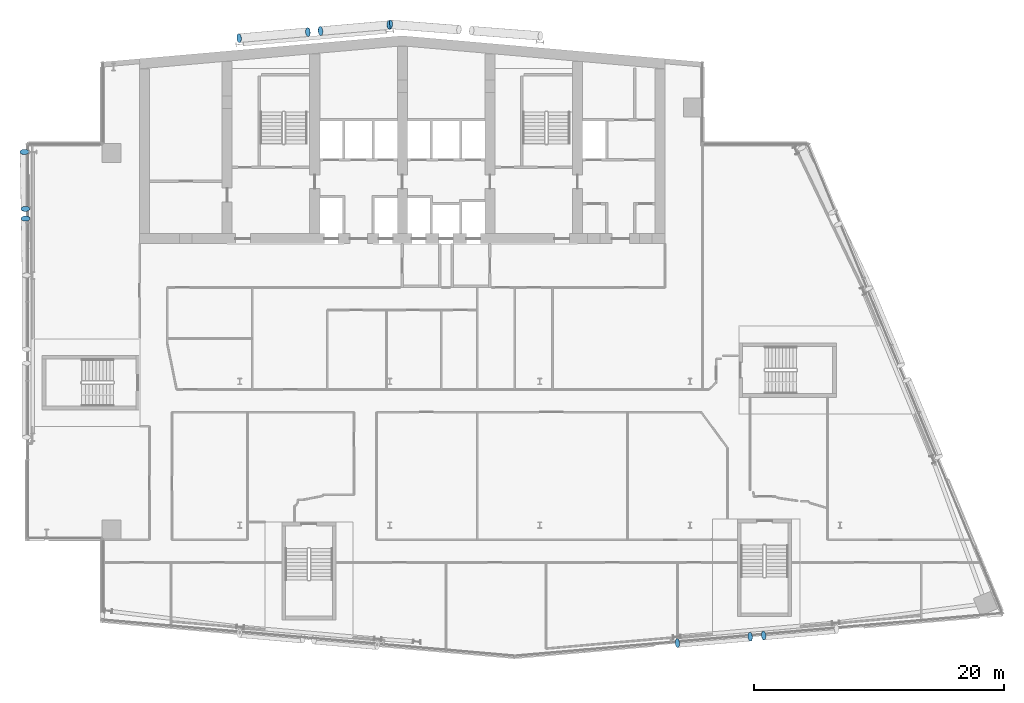
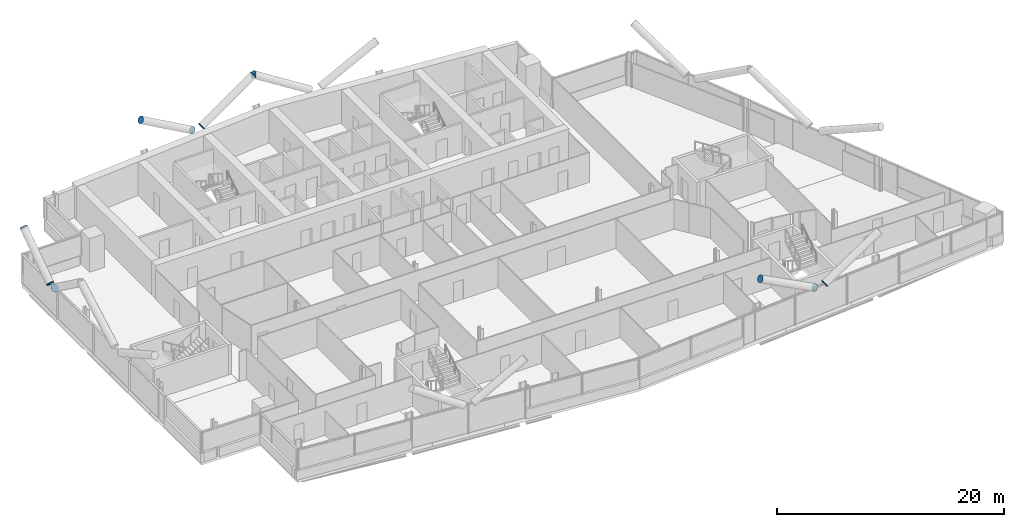
# One storey, part 22 of 27: 11 discrete accessories.
"""IFC4 building model written with IfcOpenShell, lengths in metres."""

from ifc_helpers import new_model, si_unit, direction, frame, origin, origin_2d, place, context, subcontext, project, spatial, circle, extrude, material, material_profile, profile_set, type_object, element, save


model = new_model("IFC4")

# Units and contexts
model_context = context("Model", 3, precision=1e-05, world=origin(), true_north=direction((0.0, 1.0)))
body_context = subcontext(model_context, "Body", "Model", "MODEL_VIEW")
ifc_project = project(units=[si_unit("LENGTHUNIT", "METRE"), si_unit("AREAUNIT", "SQUARE_METRE"), si_unit("VOLUMEUNIT", "CUBIC_METRE"), si_unit("PLANEANGLEUNIT", "RADIAN"), si_unit("MASSUNIT", "GRAM", prefix="KILO")], contexts=[model_context])

# Site, building, storey
site_placement = place(None, origin())
site = spatial("IfcSite", under=ifc_project, at=site_placement, CompositionType="ELEMENT")
building_placement = place(site_placement, origin())
building = spatial("IfcBuilding", under=site, at=building_placement, Name="Wharfspan Tower", CompositionType="ELEMENT")
storey_placement = place(building_placement, frame((0.0, 0.0, 195.100098)))
storey = spatial("IfcBuildingStorey", under=building, at=storey_placement, Name="L48", CompositionType="ELEMENT", Elevation=195.100098)

# Discrete accessories
ifc_material = material(Name="Steel S460NH", Category="steel")
ifc_material_profile = material_profile(ifc_material, circle(Radius=0.355469, at=origin_2d()))
ifc_profile_set = profile_set([ifc_material_profile], Name="Steel S460NH")
discrete_accessory_type = type_object("IfcDiscreteAccessoryType", Name="End plate CHS 711x36", PredefinedType="BRACKET", material=ifc_profile_set)
for number, where, z_axis, x_axis, name in (
    (1, (65.88916, 2.672852, 3.202637), (0.871847, 0.072654, 0.484359), (-0.083044, 0.996547, -3e-06), "End plate CHS 711x36"),
    (2, (64.821533, 2.579346, 3.202637), (-0.871847, -0.072654, 0.484359), (0.083044, -0.996547, -3e-06), "End plate CHS 711x36"),
    (3, (59.004883, 2.070557, 6.5), (-0.871847, -0.072654, 0.484359), (0.083044, -0.996547, -3e-06), "End plate CHS 711x36"),
    (4, (6.872559, 36.01709, 3.179199), (0.0245, -0.808493, 0.587995), (0.999537, 0.03029, 1e-06), "End plate CHS 711x36"),
):
    element("IfcDiscreteAccessory", number, at=place(storey_placement, frame(where, z_axis=z_axis, x_axis=x_axis)), inside=storey, type_object=discrete_accessory_type, Name=name, PredefinedType="BRACKET", context=body_context, shape_type="SweptSolid", body=[
        extrude(circle(Radius=0.355469, at=origin_2d()), origin(), (0.0, 0.0, 1.0), 0.01001),
    ])
discrete_accessory_placement = place(storey_placement, frame((6.860352, 36.782471, 3.179199), z_axis=(0.0, 0.816968, 0.576683), x_axis=(-1.0, 0.0, 0.0)))
element("IfcDiscreteAccessory", 5, at=discrete_accessory_placement, inside=storey, type_object=discrete_accessory_type, Name="End plate CHS 711x36", PredefinedType="BRACKET", context=body_context, shape_type="SweptSolid", body=[
    extrude(circle(Radius=0.355469, at=origin_2d()), origin(), (0.0, 0.0, 1.0), 0.010254),
])
for number, where, z_axis, x_axis, name in (
    (6, (6.788086, 41.333008, 6.5), (-0.0245, 0.808493, 0.587995), (-0.999537, -0.03029, 1e-06), "End plate CHS 711x36"),
    (7, (30.452881, 51.006348, 3.197998), (0.855186, 0.073302, 0.513112), (-0.085402, 0.996345, 1e-06), "End plate CHS 711x36"),
    (8, (35.956299, 51.487793, 6.5), (0.855186, 0.073302, 0.513112), (-0.085402, 0.996345, 1e-06), "End plate CHS 711x36"),
    (9, (29.459473, 50.919434, 3.197998), (-0.855186, -0.073302, 0.513112), (0.085402, -0.996345, 1e-06), "End plate CHS 711x36"),
    (10, (23.956299, 50.437988, 6.5), (-0.855186, -0.073302, 0.513112), (0.085402, -0.996345, 1e-06), "End plate CHS 711x36"),
    (11, (36.039795, 51.53418, 6.5), (-0.856465, 0.048941, 0.513879), (-0.05705, -0.998372, 0.0), "End plate CHS 711x36"),
):
    element("IfcDiscreteAccessory", number, at=place(storey_placement, frame(where, z_axis=z_axis, x_axis=x_axis)), inside=storey, type_object=discrete_accessory_type, Name=name, PredefinedType="BRACKET", context=body_context, shape_type="SweptSolid", body=[
        extrude(circle(Radius=0.355469, at=origin_2d()), origin(), (0.0, 0.0, 1.0), 0.01001),
    ])

save(model, "model.ifc")
